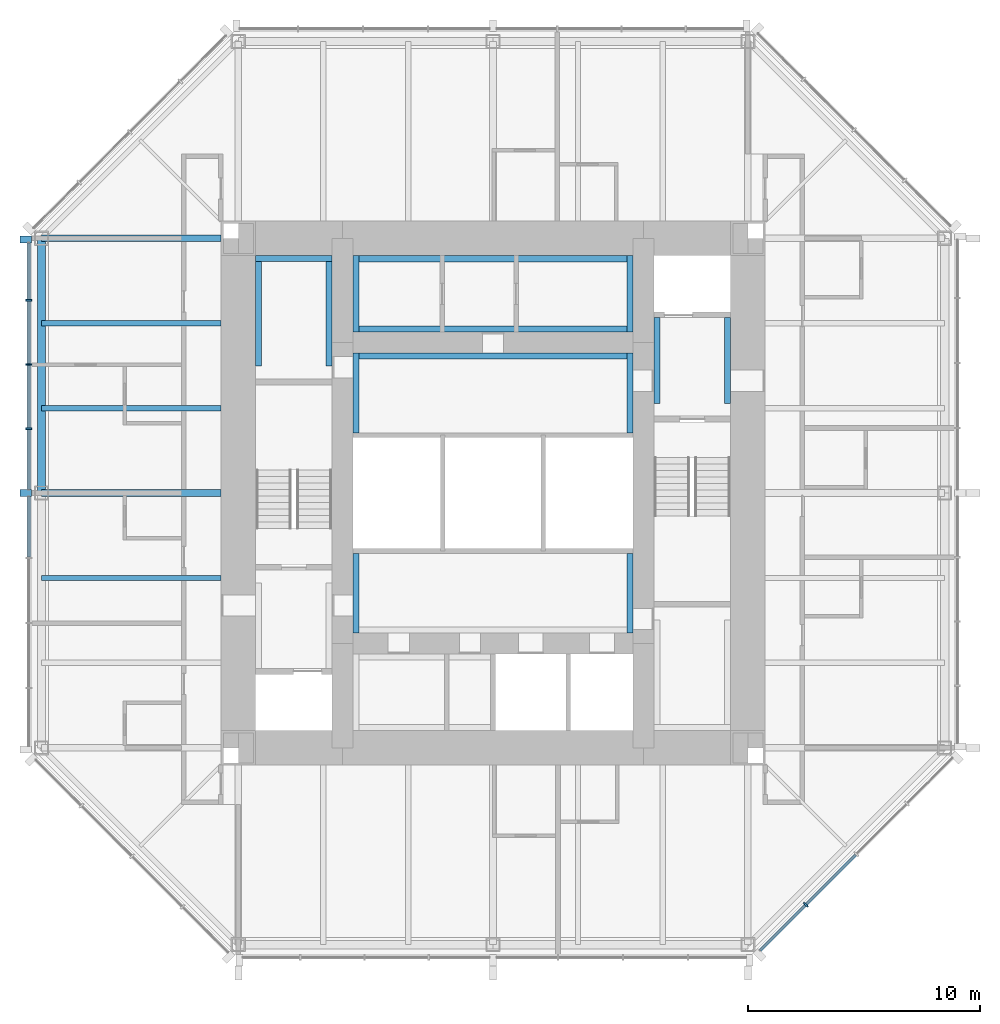
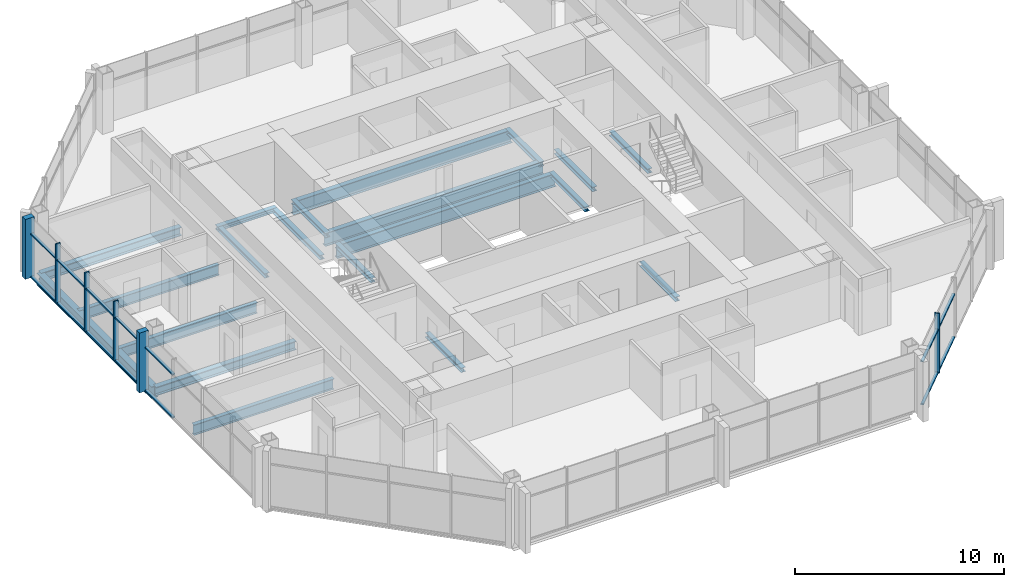
# One storey, part 3 of 11: 20 beams, 20 members, 2 elements without a shape of their own.
"""IFC4 building model written with IfcOpenShell, lengths in metres."""

from ifc_helpers import new_model, si_unit, direction, frame, origin, origin_2d, place, context, subcontext, project, spatial, rectangle, i_section, extrude, material, material_profile, profile_set, type_object, element, aggregate, save


model = new_model("IFC4")

# Units and contexts
model_context = context("Model", 3, precision=1e-05, world=origin(), true_north=direction((0.0, 1.0)))
body_context = subcontext(model_context, "Body", "Model", "MODEL_VIEW")
ifc_project = project(units=[si_unit("LENGTHUNIT", "METRE"), si_unit("AREAUNIT", "SQUARE_METRE"), si_unit("VOLUMEUNIT", "CUBIC_METRE"), si_unit("PLANEANGLEUNIT", "RADIAN"), si_unit("MASSUNIT", "GRAM", prefix="KILO")], contexts=[model_context])

# Site, building, storey
site_placement = place(None, origin())
site = spatial("IfcSite", under=ifc_project, at=site_placement, CompositionType="ELEMENT")
building_placement = place(site_placement, origin())
building = spatial("IfcBuilding", under=site, at=building_placement, Name="Trevanion Tower", CompositionType="ELEMENT")
storey_placement = place(building_placement, frame((0.0, 0.0, 246.699951171875)))
storey = spatial("IfcBuildingStorey", under=building, at=storey_placement, Name="L60", CompositionType="ELEMENT", Elevation=246.699951171875)

# Beams
ifc_material_1 = material(Name="Steel ASTM A992 Grade 50", Category="steel")
ifc_material_profile_1 = material_profile(ifc_material_1, i_section(OverallWidth=0.228271484375, OverallDepth=0.607177734375, WebThickness=0.01123046875, FlangeThickness=0.017333984375, at=origin_2d()), Name="W24X76")
ifc_profile_set_1 = profile_set([ifc_material_profile_1], Name="Steel ASTM A992 Grade 50")
beam_type_1 = type_object("IfcBeamType", Name="B11 W24X76", PredefinedType="BEAM", material=ifc_profile_set_1)
for number, where, z_axis, x_axis, name in (
    (1, (-11.75, 7.333251953125, -0.493408203125), (-1.0, 0.0, 0.0), (0.0, -1.0, 0.0), "B11 L60"),
    (2, (-11.75, 3.666748046875, -0.493408203125), (-1.0, 0.0, 0.0), (0.0, -1.0, 0.0), "B11 L60"),
    (3, (-11.75, -3.666748046875, -0.493408203125), (-1.0, 0.0, 0.0), (0.0, -1.0, 0.0), "B11 L60"),
):
    element("IfcBeam", number, at=place(storey_placement, frame(where, z_axis=z_axis, x_axis=x_axis)), inside=storey, type_object=beam_type_1, Name=name, PredefinedType="BEAM", context=body_context, shape_type="SweptSolid", body=[
        extrude(i_section(OverallWidth=0.228271484375, OverallDepth=0.607177734375, WebThickness=0.01123046875, FlangeThickness=0.017333984375, at=origin_2d()), origin(), (0.0, 0.0, 1.0), 7.75),
    ])

# Curtain wall, members
ifc_material_2 = material(Name="Aluminium and glass", Category="aluminium")
curtain_wall_type = type_object("IfcCurtainWallType", Name="CW3 curtain wall", PredefinedType="USERDEFINED", material=ifc_material_2)
curtain_wall_1_placement = place(storey_placement, origin())
curtain_wall_1 = element("IfcCurtainWall", 4, at=curtain_wall_1_placement, inside=storey, type_object=curtain_wall_type, Name="CW3 L60 4", ObjectType="UNITISED CURTAIN WALL", PredefinedType="USERDEFINED")
ifc_material_3 = material(Name="Aluminium extrusion, anodised bronze", Category="aluminium")
ifc_material_profile_2 = material_profile(ifc_material_3, rectangle(XDim=0.074951171875, YDim=0.25, at=origin_2d()), Name="CW3 mullion")
ifc_profile_set_2 = profile_set([ifc_material_profile_2], Name="Aluminium extrusion, anodised bronze")
member_type_1 = type_object("IfcMemberType", Name="CW3 mullion", PredefinedType="MULLION", material=ifc_profile_set_2)
member_1_placement = place(storey_placement, frame((-20.050048828125, 8.323486328125, -0.18994140625), z_axis=(0.0, 0.0, 1.0), x_axis=(0.0, -1.0, 0.0)))
member_1 = element("IfcMember", 5, at=member_1_placement, type_object=member_type_1, Name="CW3 mullion 2", PredefinedType="MULLION", context=body_context, shape_type="SweptSolid", body=[
    extrude(rectangle(XDim=0.074951171875, YDim=0.25, at=origin_2d()), origin(), (0.0, 0.0, 1.0), 3.5),
])
member_2_placement = place(storey_placement, frame((-20.050048828125, 5.548828125, -0.18994140625), z_axis=(0.0, 0.0, 1.0), x_axis=(0.0, -1.0, 0.0)))
member_2 = element("IfcMember", 6, at=member_2_placement, type_object=member_type_1, Name="CW3 mullion 3", PredefinedType="MULLION", context=body_context, shape_type="SweptSolid", body=[
    extrude(rectangle(XDim=0.074951171875, YDim=0.25, at=origin_2d()), origin(), (0.0, 0.0, 1.0), 3.5),
])
member_3_placement = place(storey_placement, frame((-20.050048828125, 2.7744140625, -0.18994140625), z_axis=(0.0, 0.0, 1.0), x_axis=(0.0, -1.0, 0.0)))
member_3 = element("IfcMember", 7, at=member_3_placement, type_object=member_type_1, Name="CW3 mullion 4", PredefinedType="MULLION", context=body_context, shape_type="SweptSolid", body=[
    extrude(rectangle(XDim=0.074951171875, YDim=0.25, at=origin_2d()), origin(), (0.0, 0.0, 1.0), 3.5),
])

# Curtain wall, member
curtain_wall_2_placement = place(storey_placement, origin())
curtain_wall_2 = element("IfcCurtainWall", 8, at=curtain_wall_2_placement, inside=storey, type_object=curtain_wall_type, Name="CW3 L60 7", ObjectType="UNITISED CURTAIN WALL", PredefinedType="USERDEFINED")
member_4_placement = place(storey_placement, frame((13.502197265625, -17.775390625, -0.18994140625), z_axis=(0.0, 0.0, 1.0), x_axis=(0.707106781187, 0.707106781187, 0.0)))
member_4 = element("IfcMember", 9, at=member_4_placement, type_object=member_type_1, Name="CW3 mullion 2", PredefinedType="MULLION", context=body_context, shape_type="SweptSolid", body=[
    extrude(rectangle(XDim=0.074951171875, YDim=0.25, at=origin_2d()), origin(), (0.0, 0.0, 1.0), 3.5),
])

# Member
ifc_material_4 = material(Name="Aluminium extrusion, anodised bronze", Category="aluminium")
ifc_material_profile_3 = material_profile(ifc_material_4, rectangle(XDim=0.300048828125, YDim=0.5, at=origin_2d()), Name="CW3 pier mullion")
ifc_profile_set_3 = profile_set([ifc_material_profile_3], Name="Aluminium extrusion, anodised bronze")
member_type_2 = type_object("IfcMemberType", Name="CW3 pier mullion", PredefinedType="MULLION", material=ifc_profile_set_3)
member_5_placement = place(storey_placement, frame((-20.175048828125, 10.94775390625, -0.18994140625), z_axis=(0.0, 0.0, 1.0), x_axis=(0.0, -1.0, 0.0)))
member_5 = element("IfcMember", 10, at=member_5_placement, type_object=member_type_2, Name="CW3 pier mullion 1", PredefinedType="MULLION", context=body_context, shape_type="SweptSolid", body=[
    extrude(rectangle(XDim=0.300048828125, YDim=0.5, at=origin_2d()), origin(), (0.0, 0.0, 1.0), 3.5),
])

member_6_placement = place(storey_placement, frame((-20.175048828125, 0.0, -0.18994140625), z_axis=(0.0, 0.0, 1.0), x_axis=(0.0, -1.0, 0.0)))
member_6 = element("IfcMember", 11, at=member_6_placement, type_object=member_type_2, Name="CW3 pier mullion 5", PredefinedType="MULLION", context=body_context, shape_type="SweptSolid", body=[
    extrude(rectangle(XDim=0.300048828125, YDim=0.5, at=origin_2d()), origin(), (0.0, 0.0, 1.0), 3.5),
])

ifc_material_5 = material(Name="Aluminium extrusion, anodised bronze", Category="aluminium")
ifc_material_profile_4 = material_profile(ifc_material_5, rectangle(XDim=0.14990234375, YDim=0.074951171875, at=origin_2d()), Name="CW3 transom")
ifc_profile_set_4 = profile_set([ifc_material_profile_4], Name="Aluminium extrusion, anodised bronze")
member_type_3 = type_object("IfcMemberType", Name="CW3 transom", PredefinedType="USERDEFINED", material=ifc_profile_set_4)
member_7_placement = place(storey_placement, frame((-20.050048828125, 10.7978515625, -0.15234375), z_axis=(0.0, -1.0, 0.0), x_axis=(1.0, 0.0, 0.0)))
member_7 = element("IfcMember", 12, at=member_7_placement, type_object=member_type_3, Name="CW3 transom 1.1", ObjectType="TRANSOM", PredefinedType="USERDEFINED", context=body_context, shape_type="SweptSolid", body=[
    extrude(rectangle(XDim=0.14990234375, YDim=0.074951171875, at=origin_2d()), origin(), (0.0, 0.0, 1.0), 2.43701171875),
])

member_8_placement = place(storey_placement, frame((-20.050048828125, 10.7978515625, 2.360107421875), z_axis=(0.0, -1.0, 0.0), x_axis=(1.0, 0.0, 0.0)))
member_8 = element("IfcMember", 13, at=member_8_placement, type_object=member_type_3, Name="CW3 transom 1.2", ObjectType="TRANSOM", PredefinedType="USERDEFINED", context=body_context, shape_type="SweptSolid", body=[
    extrude(rectangle(XDim=0.14990234375, YDim=0.074951171875, at=origin_2d()), origin(), (0.0, 0.0, 1.0), 2.43701171875),
])

member_9_placement = place(storey_placement, frame((-20.050048828125, 8.285888671875, -0.15234375), z_axis=(0.0, -1.0, 0.0), x_axis=(1.0, 0.0, 0.0)))
member_9 = element("IfcMember", 14, at=member_9_placement, type_object=member_type_3, Name="CW3 transom 2.1", ObjectType="TRANSOM", PredefinedType="USERDEFINED", context=body_context, shape_type="SweptSolid", body=[
    extrude(rectangle(XDim=0.14990234375, YDim=0.074951171875, at=origin_2d()), origin(), (0.0, 0.0, 1.0), 2.699462890625),
])

member_10_placement = place(storey_placement, frame((-20.050048828125, 8.285888671875, 2.360107421875), z_axis=(0.0, -1.0, 0.0), x_axis=(1.0, 0.0, 0.0)))
member_10 = element("IfcMember", 15, at=member_10_placement, type_object=member_type_3, Name="CW3 transom 2.2", ObjectType="TRANSOM", PredefinedType="USERDEFINED", context=body_context, shape_type="SweptSolid", body=[
    extrude(rectangle(XDim=0.14990234375, YDim=0.074951171875, at=origin_2d()), origin(), (0.0, 0.0, 1.0), 2.699462890625),
])

member_11_placement = place(storey_placement, frame((-20.050048828125, 5.511474609375, -0.15234375), z_axis=(0.0, -1.0, 0.0), x_axis=(1.0, 0.0, 0.0)))
member_11 = element("IfcMember", 16, at=member_11_placement, type_object=member_type_3, Name="CW3 transom 3.1", ObjectType="TRANSOM", PredefinedType="USERDEFINED", context=body_context, shape_type="SweptSolid", body=[
    extrude(rectangle(XDim=0.14990234375, YDim=0.074951171875, at=origin_2d()), origin(), (0.0, 0.0, 1.0), 2.699462890625),
])

member_12_placement = place(storey_placement, frame((-20.050048828125, 5.511474609375, 2.360107421875), z_axis=(0.0, -1.0, 0.0), x_axis=(1.0, 0.0, 0.0)))
member_12 = element("IfcMember", 17, at=member_12_placement, type_object=member_type_3, Name="CW3 transom 3.2", ObjectType="TRANSOM", PredefinedType="USERDEFINED", context=body_context, shape_type="SweptSolid", body=[
    extrude(rectangle(XDim=0.14990234375, YDim=0.074951171875, at=origin_2d()), origin(), (0.0, 0.0, 1.0), 2.699462890625),
])

member_13_placement = place(storey_placement, frame((-20.050048828125, 2.737060546875, -0.15234375), z_axis=(0.0, -1.0, 0.0), x_axis=(1.0, 0.0, 0.0)))
member_13 = element("IfcMember", 18, at=member_13_placement, type_object=member_type_3, Name="CW3 transom 4.1", ObjectType="TRANSOM", PredefinedType="USERDEFINED", context=body_context, shape_type="SweptSolid", body=[
    extrude(rectangle(XDim=0.14990234375, YDim=0.074951171875, at=origin_2d()), origin(), (0.0, 0.0, 1.0), 2.587158203125),
])

member_14_placement = place(storey_placement, frame((-20.050048828125, 2.737060546875, 2.360107421875), z_axis=(0.0, -1.0, 0.0), x_axis=(1.0, 0.0, 0.0)))
member_14 = element("IfcMember", 19, at=member_14_placement, type_object=member_type_3, Name="CW3 transom 4.2", ObjectType="TRANSOM", PredefinedType="USERDEFINED", context=body_context, shape_type="SweptSolid", body=[
    extrude(rectangle(XDim=0.14990234375, YDim=0.074951171875, at=origin_2d()), origin(), (0.0, 0.0, 1.0), 2.587158203125),
])

member_15_placement = place(storey_placement, frame((-20.050048828125, -0.14990234375, -0.15234375), z_axis=(0.0, -1.0, 0.0), x_axis=(1.0, 0.0, 0.0)))
member_15 = element("IfcMember", 20, at=member_15_placement, type_object=member_type_3, Name="CW3 transom 5.1", ObjectType="TRANSOM", PredefinedType="USERDEFINED", context=body_context, shape_type="SweptSolid", body=[
    extrude(rectangle(XDim=0.14990234375, YDim=0.074951171875, at=origin_2d()), origin(), (0.0, 0.0, 1.0), 2.619384765625),
])

member_16_placement = place(storey_placement, frame((-20.050048828125, -0.14990234375, 2.360107421875), z_axis=(0.0, -1.0, 0.0), x_axis=(1.0, 0.0, 0.0)))
member_16 = element("IfcMember", 21, at=member_16_placement, type_object=member_type_3, Name="CW3 transom 5.2", ObjectType="TRANSOM", PredefinedType="USERDEFINED", context=body_context, shape_type="SweptSolid", body=[
    extrude(rectangle(XDim=0.14990234375, YDim=0.074951171875, at=origin_2d()), origin(), (0.0, 0.0, 1.0), 2.619384765625),
])

aggregate(curtain_wall_1, [member_5, member_1, member_2, member_3, member_6, member_7, member_8, member_9, member_10, member_11, member_12, member_13, member_14, member_15, member_16])

member_17_placement = place(storey_placement, frame((11.531982421875, -19.745849609375, -0.15234375), z_axis=(0.707106781187, 0.707106781187, 0.0), x_axis=(-0.707106781187, 0.707106781187, 0.0)))
member_17 = element("IfcMember", 22, at=member_17_placement, type_object=member_type_3, Name="CW3 transom 1.1", ObjectType="TRANSOM", PredefinedType="USERDEFINED", context=body_context, shape_type="SweptSolid", body=[
    extrude(rectangle(XDim=0.14990234375, YDim=0.074951171875, at=origin_2d()), origin(), (0.0, 0.0, 1.0), 2.7490234375),
])

member_18_placement = place(storey_placement, frame((11.531982421875, -19.745849609375, 2.360107421875), z_axis=(0.707106781187, 0.707106781187, 0.0), x_axis=(-0.707106781187, 0.707106781187, 0.0)))
member_18 = element("IfcMember", 23, at=member_18_placement, type_object=member_type_3, Name="CW3 transom 1.2", ObjectType="TRANSOM", PredefinedType="USERDEFINED", context=body_context, shape_type="SweptSolid", body=[
    extrude(rectangle(XDim=0.14990234375, YDim=0.074951171875, at=origin_2d()), origin(), (0.0, 0.0, 1.0), 2.7490234375),
])

member_19_placement = place(storey_placement, frame((13.52880859375, -17.7490234375, -0.15234375), z_axis=(0.707106781187, 0.707106781187, 0.0), x_axis=(-0.707106781187, 0.707106781187, 0.0)))
member_19 = element("IfcMember", 24, at=member_19_placement, type_object=member_type_3, Name="CW3 transom 2.1", ObjectType="TRANSOM", PredefinedType="USERDEFINED", context=body_context, shape_type="SweptSolid", body=[
    extrude(rectangle(XDim=0.14990234375, YDim=0.074951171875, at=origin_2d()), origin(), (0.0, 0.0, 1.0), 3.01171875),
])

member_20_placement = place(storey_placement, frame((13.52880859375, -17.7490234375, 2.360107421875), z_axis=(0.707106781187, 0.707106781187, 0.0), x_axis=(-0.707106781187, 0.707106781187, 0.0)))
member_20 = element("IfcMember", 25, at=member_20_placement, type_object=member_type_3, Name="CW3 transom 2.2", ObjectType="TRANSOM", PredefinedType="USERDEFINED", context=body_context, shape_type="SweptSolid", body=[
    extrude(rectangle(XDim=0.14990234375, YDim=0.074951171875, at=origin_2d()), origin(), (0.0, 0.0, 1.0), 3.01171875),
])

aggregate(curtain_wall_2, [member_4, member_17, member_18, member_19, member_20])

# Beams
ifc_material_6 = material(Name="Steel ASTM A992 Grade 50", Category="steel")
ifc_material_profile_5 = material_profile(ifc_material_6, i_section(OverallWidth=0.28955078125, OverallDepth=0.508056640625, WebThickness=0.022705078125, FlangeThickness=0.040283203125, at=origin_2d()), Name="W18X175")
ifc_profile_set_5 = profile_set([ifc_material_profile_5], Name="Steel ASTM A992 Grade 50")
beam_type_2 = type_object("IfcBeamType", Name="G6 W18X175", PredefinedType="BEAM", material=ifc_profile_set_5)
for number, where, z_axis, x_axis, name in (
    (26, (-11.75, 11.0, -0.44384765625), (-1.0, 0.0, 0.0), (0.0, -1.0, 0.0), "G6 L60"),
    (27, (-11.75, 0.0, -0.44384765625), (-1.0, 0.0, 0.0), (0.0, -1.0, 0.0), "G6 L60"),
):
    element("IfcBeam", number, at=place(storey_placement, frame(where, z_axis=z_axis, x_axis=x_axis)), inside=storey, type_object=beam_type_2, Name=name, PredefinedType="BEAM", context=body_context, shape_type="SweptSolid", body=[
        extrude(i_section(OverallWidth=0.28955078125, OverallDepth=0.508056640625, WebThickness=0.022705078125, FlangeThickness=0.040283203125, at=origin_2d()), origin(), (0.0, 0.0, 1.0), 7.75),
    ])
ifc_material_7 = material(Name="Steel ASTM A992 Grade 50", Category="steel")
ifc_material_profile_6 = material_profile(ifc_material_7, i_section(OverallWidth=0.256591796875, OverallDepth=0.26416015625, WebThickness=0.011962890625, FlangeThickness=0.01953125, at=origin_2d()), Name="W10X68")
ifc_profile_set_6 = profile_set([ifc_material_profile_6], Name="Steel ASTM A992 Grade 50")
beam_type_3 = type_object("IfcBeamType", Name="LB1 W10X68", PredefinedType="BEAM", material=ifc_profile_set_6)
for number, where, z_axis, x_axis, name in (
    (28, (-5.921630859375, 2.60009765625, -0.33203125), (0.0, 1.0, 0.0), (-1.0, 0.0, 0.0), "LB1 L60"),
    (29, (5.921630859375, 2.60009765625, -0.33203125), (0.0, 1.0, 0.0), (-1.0, 0.0, 0.0), "LB1 L60"),
    (30, (-5.921630859375, -6.050048828125, -0.33203125), (0.0, 1.0, 0.0), (-1.0, 0.0, 0.0), "LB1 L60"),
    (31, (5.921630859375, -6.050048828125, -0.33203125), (0.0, 1.0, 0.0), (-1.0, 0.0, 0.0), "LB1 L60"),
):
    element("IfcBeam", number, at=place(storey_placement, frame(where, z_axis=z_axis, x_axis=x_axis)), inside=storey, type_object=beam_type_3, Name=name, PredefinedType="BEAM", context=body_context, shape_type="SweptSolid", body=[
        extrude(i_section(OverallWidth=0.256591796875, OverallDepth=0.26416015625, WebThickness=0.011962890625, FlangeThickness=0.01953125, at=origin_2d()), origin(), (0.0, 0.0, 1.0), 3.449951171875),
    ])
for number, where, z_axis, x_axis, name in (
    (32, (7.078369140625, 3.875, -0.33203125), (0.0, 1.0, 0.0), (-1.0, 0.0, 0.0), "LB1 L60"),
    (33, (10.12158203125, 3.875, -0.33203125), (0.0, 1.0, 0.0), (-1.0, 0.0, 0.0), "LB1 L60"),
):
    element("IfcBeam", number, at=place(storey_placement, frame(where, z_axis=z_axis, x_axis=x_axis)), inside=storey, type_object=beam_type_3, Name=name, PredefinedType="BEAM", context=body_context, shape_type="SweptSolid", body=[
        extrude(i_section(OverallWidth=0.256591796875, OverallDepth=0.26416015625, WebThickness=0.011962890625, FlangeThickness=0.01953125, at=origin_2d()), origin(), (0.0, 0.0, 1.0), 3.699951171875),
    ])
for number, where, z_axis, x_axis, name in (
    (34, (-10.12158203125, 5.47509765625, -0.33203125), (0.0, 1.0, 0.0), (-1.0, 0.0, 0.0), "LB1 L60"),
    (35, (-7.078369140625, 5.47509765625, -0.33203125), (0.0, 1.0, 0.0), (-1.0, 0.0, 0.0), "LB1 L60"),
):
    element("IfcBeam", number, at=place(storey_placement, frame(where, z_axis=z_axis, x_axis=x_axis)), inside=storey, type_object=beam_type_3, Name=name, PredefinedType="BEAM", context=body_context, shape_type="SweptSolid", body=[
        extrude(i_section(OverallWidth=0.256591796875, OverallDepth=0.26416015625, WebThickness=0.011962890625, FlangeThickness=0.01953125, at=origin_2d()), origin(), (0.0, 0.0, 1.0), 4.77490234375),
    ])
for number, where, z_axis, x_axis, name in (
    (36, (-10.25, 10.12158203125, -0.33203125), (1.0, 0.0, 0.0), (0.0, 1.0, 0.0), "LB1 L60"),
    (37, (-5.921630859375, 6.949951171875, -0.33203125), (0.0, 1.0, 0.0), (-1.0, 0.0, 0.0), "LB1 L60"),
    (38, (5.921630859375, 6.949951171875, -0.33203125), (0.0, 1.0, 0.0), (-1.0, 0.0, 0.0), "LB1 L60"),
):
    element("IfcBeam", number, at=place(storey_placement, frame(where, z_axis=z_axis, x_axis=x_axis)), inside=storey, type_object=beam_type_3, Name=name, PredefinedType="BEAM", context=body_context, shape_type="SweptSolid", body=[
        extrude(i_section(OverallWidth=0.256591796875, OverallDepth=0.26416015625, WebThickness=0.011962890625, FlangeThickness=0.01953125, at=origin_2d()), origin(), (0.0, 0.0, 1.0), 3.300048828125),
    ])
ifc_material_8 = material(Name="Steel ASTM A992 Grade 50", Category="steel")
ifc_material_profile_7 = material_profile(ifc_material_8, i_section(OverallWidth=0.2666015625, OverallDepth=0.76953125, WebThickness=0.015625, FlangeThickness=0.025390625, at=origin_2d()), Name="W30X132")
ifc_profile_set_7 = profile_set([ifc_material_profile_7], Name="Steel ASTM A992 Grade 50")
beam_type_4 = type_object("IfcBeamType", Name="LB3 W30X132", PredefinedType="BEAM", material=ifc_profile_set_7)
for number, where, z_axis, x_axis, name in (
    (39, (-6.050048828125, 5.91650390625, -0.584716796875), (1.0, 0.0, 0.0), (0.0, 1.0, 0.0), "LB3 L60"),
    (40, (-6.050048828125, 7.08349609375, -0.584716796875), (1.0, 0.0, 0.0), (0.0, 1.0, 0.0), "LB3 L60"),
    (41, (-6.050048828125, 10.11669921875, -0.584716796875), (1.0, 0.0, 0.0), (0.0, 1.0, 0.0), "LB3 L60"),
):
    element("IfcBeam", number, at=place(storey_placement, frame(where, z_axis=z_axis, x_axis=x_axis)), inside=storey, type_object=beam_type_4, Name=name, PredefinedType="BEAM", context=body_context, shape_type="SweptSolid", body=[
        extrude(i_section(OverallWidth=0.2666015625, OverallDepth=0.76953125, WebThickness=0.015625, FlangeThickness=0.025390625, at=origin_2d()), origin(), (0.0, 0.0, 1.0), 12.10009765625),
    ])
ifc_material_9 = material(Name="Steel ASTM A992 Grade 50", Category="steel")
ifc_material_profile_8 = material_profile(ifc_material_9, i_section(OverallWidth=0.355712890625, OverallDepth=0.696044921875, WebThickness=0.015380859375, FlangeThickness=0.024658203125, at=origin_2d()), Name="W27X146")
ifc_profile_set_8 = profile_set([ifc_material_profile_8], Name="Steel ASTM A992 Grade 50")
beam_type_5 = type_object("IfcBeamType", Name="SB8 W27X146", PredefinedType="SPANDREL", material=ifc_profile_set_8)
beam_placement = place(storey_placement, frame((-19.5, 11.0, -0.537841796875), z_axis=(0.0, -1.0, 0.0), x_axis=(1.0, 0.0, 0.0)))
element("IfcBeam", 42, at=beam_placement, inside=storey, type_object=beam_type_5, Name="SB8 L60", PredefinedType="SPANDREL", context=body_context, shape_type="SweptSolid", body=[
    extrude(i_section(OverallWidth=0.355712890625, OverallDepth=0.696044921875, WebThickness=0.015380859375, FlangeThickness=0.024658203125, at=origin_2d()), origin(), (0.0, 0.0, 1.0), 11.0),
])

save(model, "model.ifc")
